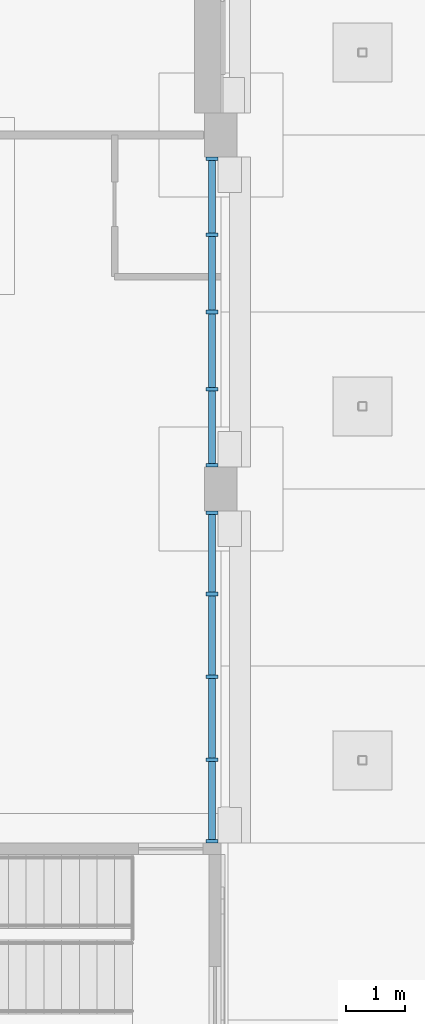
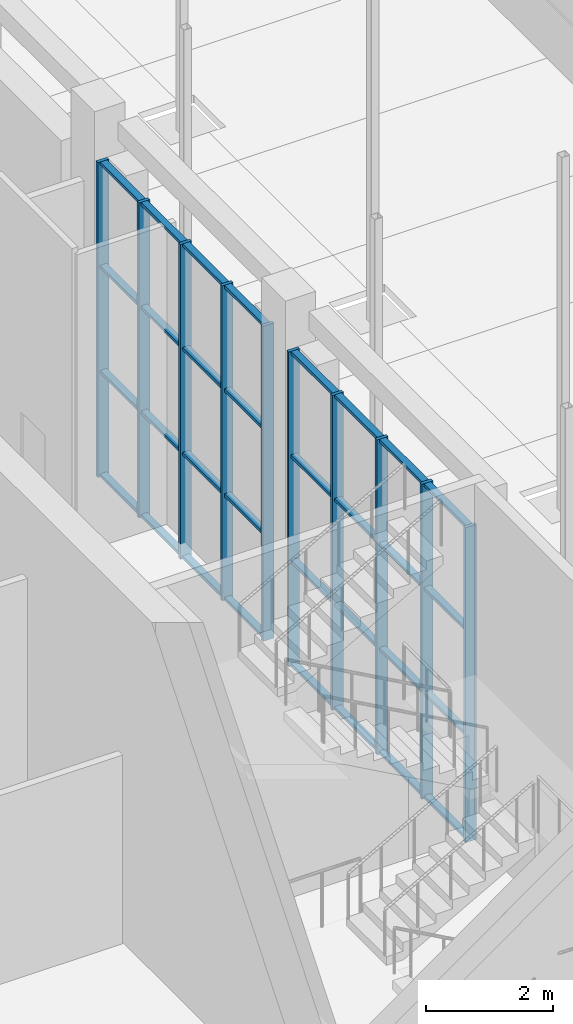
# One storey, part 25 of 95: 42 members, 2 elements without a shape of their own.
"""IFC4 building model written with IfcOpenShell, lengths in metres."""

from ifc_helpers import new_model, si_unit, direction, frame, origin, origin_2d, place, context, subcontext, project, spatial, rectangle, extrude, material, material_profile, profile_set, type_object, element, aggregate, save


model = new_model("IFC4")

# Units and contexts
model_context = context("Model", 3, precision=1e-05, world=origin(), true_north=direction((0.0, 1.0)))
body_context = subcontext(model_context, "Body", "Model", "MODEL_VIEW")
ifc_project = project(units=[si_unit("LENGTHUNIT", "METRE"), si_unit("AREAUNIT", "SQUARE_METRE"), si_unit("VOLUMEUNIT", "CUBIC_METRE"), si_unit("PLANEANGLEUNIT", "RADIAN"), si_unit("MASSUNIT", "GRAM", prefix="KILO")], contexts=[model_context])

# Site, building, storey
site_placement = place(None, origin())
site = spatial("IfcSite", under=ifc_project, at=site_placement, CompositionType="ELEMENT")
building_placement = place(site_placement, origin())
building = spatial("IfcBuilding", under=site, at=building_placement, Name="Saffron Lane Theatres", CompositionType="ELEMENT")
storey_placement = place(building_placement, origin())
storey = spatial("IfcBuildingStorey", under=building, at=storey_placement, Name="L00", CompositionType="ELEMENT", Elevation=0.0)

# Curtain wall, members
ifc_material_1 = material(Name="Aluminium", Category="aluminium")
curtain_wall_type_1 = type_object("IfcCurtainWallType", Name="EX-CURTAIN WALL 5250x6050x200", PredefinedType="NOTDEFINED", material=ifc_material_1)
curtain_wall_1_placement = place(storey_placement, origin())
curtain_wall_1 = element("IfcCurtainWall", 1, at=curtain_wall_1_placement, inside=storey, type_object=curtain_wall_type_1, Name="Curtain wall L00 05", PredefinedType="NOTDEFINED")
ifc_material_2 = material(Name="Aluminium", Category="aluminium")
ifc_material_profile_1 = material_profile(ifc_material_2, rectangle(XDim=0.06005859375, YDim=0.199951171875, at=origin_2d()))
ifc_profile_set_1 = profile_set([ifc_material_profile_1], Name="Aluminium")
member_type_1 = type_object("IfcMemberType", Name="EX-CW MULLION 60x200", PredefinedType="MULLION", material=ifc_profile_set_1)
member_1_placement = place(storey_placement, frame((53.85009765625, 83.594970703125, 0.0), z_axis=(0.0, 0.0, 1.0), x_axis=(0.0, -1.0, 0.0)))
member_1 = element("IfcMember", 2, at=member_1_placement, type_object=member_type_1, Name="CW-00-05 mullion 1", PredefinedType="MULLION", context=body_context, shape_type="SweptSolid", body=[
    extrude(rectangle(XDim=0.06005859375, YDim=0.199951171875, at=origin_2d()), origin(), (0.0, 0.0, 1.0), 6.050048828125),
])
member_2_placement = place(storey_placement, frame((53.85009765625, 82.3125, 0.0), z_axis=(0.0, 0.0, 1.0), x_axis=(0.0, -1.0, 0.0)))
member_2 = element("IfcMember", 3, at=member_2_placement, type_object=member_type_1, Name="CW-00-05 mullion 2", PredefinedType="MULLION", context=body_context, shape_type="SweptSolid", body=[
    extrude(rectangle(XDim=0.06005859375, YDim=0.199951171875, at=origin_2d()), origin(), (0.0, 0.0, 1.0), 6.050048828125),
])
member_3_placement = place(storey_placement, frame((53.85009765625, 81.0, 0.0), z_axis=(0.0, 0.0, 1.0), x_axis=(0.0, -1.0, 0.0)))
member_3 = element("IfcMember", 4, at=member_3_placement, type_object=member_type_1, Name="CW-00-05 mullion 3", PredefinedType="MULLION", context=body_context, shape_type="SweptSolid", body=[
    extrude(rectangle(XDim=0.06005859375, YDim=0.199951171875, at=origin_2d()), origin(), (0.0, 0.0, 1.0), 6.050048828125),
])
member_4_placement = place(storey_placement, frame((53.85009765625, 79.6875, 0.0), z_axis=(0.0, 0.0, 1.0), x_axis=(0.0, -1.0, 0.0)))
member_4 = element("IfcMember", 5, at=member_4_placement, type_object=member_type_1, Name="CW-00-05 mullion 4", PredefinedType="MULLION", context=body_context, shape_type="SweptSolid", body=[
    extrude(rectangle(XDim=0.06005859375, YDim=0.199951171875, at=origin_2d()), origin(), (0.0, 0.0, 1.0), 6.050048828125),
])
member_5_placement = place(storey_placement, frame((53.85009765625, 78.405029296875, 0.0), z_axis=(0.0, 0.0, 1.0), x_axis=(0.0, -1.0, 0.0)))
member_5 = element("IfcMember", 6, at=member_5_placement, type_object=member_type_1, Name="CW-00-05 mullion 5", PredefinedType="MULLION", context=body_context, shape_type="SweptSolid", body=[
    extrude(rectangle(XDim=0.06005859375, YDim=0.199951171875, at=origin_2d()), origin(), (0.0, 0.0, 1.0), 6.050048828125),
])

ifc_material_3 = material(Name="Aluminium", Category="aluminium")
curtain_wall_type_2 = type_object("IfcCurtainWallType", Name="EX-CURTAIN WALL 5620x6050x200", PredefinedType="NOTDEFINED", material=ifc_material_3)
curtain_wall_2_placement = place(storey_placement, origin())
curtain_wall_2 = element("IfcCurtainWall", 7, at=curtain_wall_2_placement, inside=storey, type_object=curtain_wall_type_2, Name="Curtain wall L00 06", PredefinedType="NOTDEFINED")
member_6_placement = place(storey_placement, frame((53.85009765625, 77.594970703125, 0.0), z_axis=(0.0, 0.0, 1.0), x_axis=(0.0, -1.0, 0.0)))
member_6 = element("IfcMember", 8, at=member_6_placement, type_object=member_type_1, Name="CW-00-06 mullion 1", PredefinedType="MULLION", context=body_context, shape_type="SweptSolid", body=[
    extrude(rectangle(XDim=0.06005859375, YDim=0.199951171875, at=origin_2d()), origin(), (0.0, 0.0, 1.0), 6.050048828125),
])
member_7_placement = place(storey_placement, frame((53.85009765625, 76.21875, 0.0), z_axis=(0.0, 0.0, 1.0), x_axis=(0.0, -1.0, 0.0)))
member_7 = element("IfcMember", 9, at=member_7_placement, type_object=member_type_1, Name="CW-00-06 mullion 2", PredefinedType="MULLION", context=body_context, shape_type="SweptSolid", body=[
    extrude(rectangle(XDim=0.06005859375, YDim=0.199951171875, at=origin_2d()), origin(), (0.0, 0.0, 1.0), 6.050048828125),
])
member_8_placement = place(storey_placement, frame((53.85009765625, 74.8125, 0.0), z_axis=(0.0, 0.0, 1.0), x_axis=(0.0, -1.0, 0.0)))
member_8 = element("IfcMember", 10, at=member_8_placement, type_object=member_type_1, Name="CW-00-06 mullion 3", PredefinedType="MULLION", context=body_context, shape_type="SweptSolid", body=[
    extrude(rectangle(XDim=0.06005859375, YDim=0.199951171875, at=origin_2d()), origin(), (0.0, 0.0, 1.0), 6.050048828125),
])
member_9_placement = place(storey_placement, frame((53.85009765625, 73.40625, 0.0), z_axis=(0.0, 0.0, 1.0), x_axis=(0.0, -1.0, 0.0)))
member_9 = element("IfcMember", 11, at=member_9_placement, type_object=member_type_1, Name="CW-00-06 mullion 4", PredefinedType="MULLION", context=body_context, shape_type="SweptSolid", body=[
    extrude(rectangle(XDim=0.06005859375, YDim=0.199951171875, at=origin_2d()), origin(), (0.0, 0.0, 1.0), 6.050048828125),
])
member_10_placement = place(storey_placement, frame((53.85009765625, 72.030029296875, 0.0), z_axis=(0.0, 0.0, 1.0), x_axis=(0.0, -1.0, 0.0)))
member_10 = element("IfcMember", 12, at=member_10_placement, type_object=member_type_1, Name="CW-00-06 mullion 5", PredefinedType="MULLION", context=body_context, shape_type="SweptSolid", body=[
    extrude(rectangle(XDim=0.06005859375, YDim=0.199951171875, at=origin_2d()), origin(), (0.0, 0.0, 1.0), 6.050048828125),
])

# Member
ifc_material_4 = material(Name="Aluminium", Category="aluminium")
ifc_material_profile_2 = material_profile(ifc_material_4, rectangle(XDim=0.1201171875, YDim=0.06005859375, at=origin_2d()))
ifc_profile_set_2 = profile_set([ifc_material_profile_2], Name="Aluminium")
member_type_2 = type_object("IfcMemberType", Name="EX-CW TRANSOM 120x60", PredefinedType="USERDEFINED", material=ifc_profile_set_2)
member_11_placement = place(storey_placement, frame((53.85009765625, 83.56494140625, 0.030029296875), z_axis=(0.0, -1.0, 0.0), x_axis=(1.0, 0.0, 0.0)))
member_11 = element("IfcMember", 13, at=member_11_placement, type_object=member_type_2, Name="CW-00-05 transom 1.1", ObjectType="TRANSOM", PredefinedType="USERDEFINED", context=body_context, shape_type="SweptSolid", body=[
    extrude(rectangle(XDim=0.1201171875, YDim=0.06005859375, at=origin_2d()), origin(), (0.0, 0.0, 1.0), 1.222412109375),
])

member_12_placement = place(storey_placement, frame((53.85009765625, 83.56494140625, 2.0166015625), z_axis=(0.0, -1.0, 0.0), x_axis=(1.0, 0.0, 0.0)))
member_12 = element("IfcMember", 14, at=member_12_placement, type_object=member_type_2, Name="CW-00-05 transom 1.2", ObjectType="TRANSOM", PredefinedType="USERDEFINED", context=body_context, shape_type="SweptSolid", body=[
    extrude(rectangle(XDim=0.1201171875, YDim=0.06005859375, at=origin_2d()), origin(), (0.0, 0.0, 1.0), 1.222412109375),
])

member_13_placement = place(storey_placement, frame((53.85009765625, 83.56494140625, 4.033447265625), z_axis=(0.0, -1.0, 0.0), x_axis=(1.0, 0.0, 0.0)))
member_13 = element("IfcMember", 15, at=member_13_placement, type_object=member_type_2, Name="CW-00-05 transom 1.3", ObjectType="TRANSOM", PredefinedType="USERDEFINED", context=body_context, shape_type="SweptSolid", body=[
    extrude(rectangle(XDim=0.1201171875, YDim=0.06005859375, at=origin_2d()), origin(), (0.0, 0.0, 1.0), 1.222412109375),
])

member_14_placement = place(storey_placement, frame((53.85009765625, 83.56494140625, 6.02001953125), z_axis=(0.0, -1.0, 0.0), x_axis=(1.0, 0.0, 0.0)))
member_14 = element("IfcMember", 16, at=member_14_placement, type_object=member_type_2, Name="CW-00-05 transom 1.4", ObjectType="TRANSOM", PredefinedType="USERDEFINED", context=body_context, shape_type="SweptSolid", body=[
    extrude(rectangle(XDim=0.1201171875, YDim=0.06005859375, at=origin_2d()), origin(), (0.0, 0.0, 1.0), 1.222412109375),
])

member_15_placement = place(storey_placement, frame((53.85009765625, 82.282470703125, 0.030029296875), z_axis=(0.0, -1.0, 0.0), x_axis=(1.0, 0.0, 0.0)))
member_15 = element("IfcMember", 17, at=member_15_placement, type_object=member_type_2, Name="CW-00-05 transom 2.1", ObjectType="TRANSOM", PredefinedType="USERDEFINED", context=body_context, shape_type="SweptSolid", body=[
    extrude(rectangle(XDim=0.1201171875, YDim=0.06005859375, at=origin_2d()), origin(), (0.0, 0.0, 1.0), 1.25244140625),
])

member_16_placement = place(storey_placement, frame((53.85009765625, 82.282470703125, 2.0166015625), z_axis=(0.0, -1.0, 0.0), x_axis=(1.0, 0.0, 0.0)))
member_16 = element("IfcMember", 18, at=member_16_placement, type_object=member_type_2, Name="CW-00-05 transom 2.2", ObjectType="TRANSOM", PredefinedType="USERDEFINED", context=body_context, shape_type="SweptSolid", body=[
    extrude(rectangle(XDim=0.1201171875, YDim=0.06005859375, at=origin_2d()), origin(), (0.0, 0.0, 1.0), 1.25244140625),
])

member_17_placement = place(storey_placement, frame((53.85009765625, 82.282470703125, 4.033447265625), z_axis=(0.0, -1.0, 0.0), x_axis=(1.0, 0.0, 0.0)))
member_17 = element("IfcMember", 19, at=member_17_placement, type_object=member_type_2, Name="CW-00-05 transom 2.3", ObjectType="TRANSOM", PredefinedType="USERDEFINED", context=body_context, shape_type="SweptSolid", body=[
    extrude(rectangle(XDim=0.1201171875, YDim=0.06005859375, at=origin_2d()), origin(), (0.0, 0.0, 1.0), 1.25244140625),
])

member_18_placement = place(storey_placement, frame((53.85009765625, 82.282470703125, 6.02001953125), z_axis=(0.0, -1.0, 0.0), x_axis=(1.0, 0.0, 0.0)))
member_18 = element("IfcMember", 20, at=member_18_placement, type_object=member_type_2, Name="CW-00-05 transom 2.4", ObjectType="TRANSOM", PredefinedType="USERDEFINED", context=body_context, shape_type="SweptSolid", body=[
    extrude(rectangle(XDim=0.1201171875, YDim=0.06005859375, at=origin_2d()), origin(), (0.0, 0.0, 1.0), 1.25244140625),
])

member_19_placement = place(storey_placement, frame((53.85009765625, 80.969970703125, 0.030029296875), z_axis=(0.0, -1.0, 0.0), x_axis=(1.0, 0.0, 0.0)))
member_19 = element("IfcMember", 21, at=member_19_placement, type_object=member_type_2, Name="CW-00-05 transom 3.1", ObjectType="TRANSOM", PredefinedType="USERDEFINED", context=body_context, shape_type="SweptSolid", body=[
    extrude(rectangle(XDim=0.1201171875, YDim=0.06005859375, at=origin_2d()), origin(), (0.0, 0.0, 1.0), 1.25244140625),
])

member_20_placement = place(storey_placement, frame((53.85009765625, 80.969970703125, 2.0166015625), z_axis=(0.0, -1.0, 0.0), x_axis=(1.0, 0.0, 0.0)))
member_20 = element("IfcMember", 22, at=member_20_placement, type_object=member_type_2, Name="CW-00-05 transom 3.2", ObjectType="TRANSOM", PredefinedType="USERDEFINED", context=body_context, shape_type="SweptSolid", body=[
    extrude(rectangle(XDim=0.1201171875, YDim=0.06005859375, at=origin_2d()), origin(), (0.0, 0.0, 1.0), 1.25244140625),
])

member_21_placement = place(storey_placement, frame((53.85009765625, 80.969970703125, 4.033447265625), z_axis=(0.0, -1.0, 0.0), x_axis=(1.0, 0.0, 0.0)))
member_21 = element("IfcMember", 23, at=member_21_placement, type_object=member_type_2, Name="CW-00-05 transom 3.3", ObjectType="TRANSOM", PredefinedType="USERDEFINED", context=body_context, shape_type="SweptSolid", body=[
    extrude(rectangle(XDim=0.1201171875, YDim=0.06005859375, at=origin_2d()), origin(), (0.0, 0.0, 1.0), 1.25244140625),
])

member_22_placement = place(storey_placement, frame((53.85009765625, 80.969970703125, 6.02001953125), z_axis=(0.0, -1.0, 0.0), x_axis=(1.0, 0.0, 0.0)))
member_22 = element("IfcMember", 24, at=member_22_placement, type_object=member_type_2, Name="CW-00-05 transom 3.4", ObjectType="TRANSOM", PredefinedType="USERDEFINED", context=body_context, shape_type="SweptSolid", body=[
    extrude(rectangle(XDim=0.1201171875, YDim=0.06005859375, at=origin_2d()), origin(), (0.0, 0.0, 1.0), 1.25244140625),
])

member_23_placement = place(storey_placement, frame((53.85009765625, 79.657470703125, 0.030029296875), z_axis=(0.0, -1.0, 0.0), x_axis=(1.0, 0.0, 0.0)))
member_23 = element("IfcMember", 25, at=member_23_placement, type_object=member_type_2, Name="CW-00-05 transom 4.1", ObjectType="TRANSOM", PredefinedType="USERDEFINED", context=body_context, shape_type="SweptSolid", body=[
    extrude(rectangle(XDim=0.1201171875, YDim=0.06005859375, at=origin_2d()), origin(), (0.0, 0.0, 1.0), 1.222412109375),
])

member_24_placement = place(storey_placement, frame((53.85009765625, 79.657470703125, 2.0166015625), z_axis=(0.0, -1.0, 0.0), x_axis=(1.0, 0.0, 0.0)))
member_24 = element("IfcMember", 26, at=member_24_placement, type_object=member_type_2, Name="CW-00-05 transom 4.2", ObjectType="TRANSOM", PredefinedType="USERDEFINED", context=body_context, shape_type="SweptSolid", body=[
    extrude(rectangle(XDim=0.1201171875, YDim=0.06005859375, at=origin_2d()), origin(), (0.0, 0.0, 1.0), 1.222412109375),
])

member_25_placement = place(storey_placement, frame((53.85009765625, 79.657470703125, 4.033447265625), z_axis=(0.0, -1.0, 0.0), x_axis=(1.0, 0.0, 0.0)))
member_25 = element("IfcMember", 27, at=member_25_placement, type_object=member_type_2, Name="CW-00-05 transom 4.3", ObjectType="TRANSOM", PredefinedType="USERDEFINED", context=body_context, shape_type="SweptSolid", body=[
    extrude(rectangle(XDim=0.1201171875, YDim=0.06005859375, at=origin_2d()), origin(), (0.0, 0.0, 1.0), 1.222412109375),
])

member_26_placement = place(storey_placement, frame((53.85009765625, 79.657470703125, 6.02001953125), z_axis=(0.0, -1.0, 0.0), x_axis=(1.0, 0.0, 0.0)))
member_26 = element("IfcMember", 28, at=member_26_placement, type_object=member_type_2, Name="CW-00-05 transom 4.4", ObjectType="TRANSOM", PredefinedType="USERDEFINED", context=body_context, shape_type="SweptSolid", body=[
    extrude(rectangle(XDim=0.1201171875, YDim=0.06005859375, at=origin_2d()), origin(), (0.0, 0.0, 1.0), 1.222412109375),
])

aggregate(curtain_wall_1, [member_1, member_2, member_3, member_4, member_5, member_11, member_12, member_13, member_14, member_15, member_16, member_17, member_18, member_19, member_20, member_21, member_22, member_23, member_24, member_25, member_26])

member_27_placement = place(storey_placement, frame((53.85009765625, 77.56494140625, 0.030029296875), z_axis=(0.0, -1.0, 0.0), x_axis=(1.0, 0.0, 0.0)))
member_27 = element("IfcMember", 29, at=member_27_placement, type_object=member_type_2, Name="CW-00-06 transom 1.1", ObjectType="TRANSOM", PredefinedType="USERDEFINED", context=body_context, shape_type="SweptSolid", body=[
    extrude(rectangle(XDim=0.1201171875, YDim=0.06005859375, at=origin_2d()), origin(), (0.0, 0.0, 1.0), 1.316162109375),
])

member_28_placement = place(storey_placement, frame((53.85009765625, 77.56494140625, 2.0166015625), z_axis=(0.0, -1.0, 0.0), x_axis=(1.0, 0.0, 0.0)))
member_28 = element("IfcMember", 30, at=member_28_placement, type_object=member_type_2, Name="CW-00-06 transom 1.2", ObjectType="TRANSOM", PredefinedType="USERDEFINED", context=body_context, shape_type="SweptSolid", body=[
    extrude(rectangle(XDim=0.1201171875, YDim=0.06005859375, at=origin_2d()), origin(), (0.0, 0.0, 1.0), 1.316162109375),
])

member_29_placement = place(storey_placement, frame((53.85009765625, 77.56494140625, 4.033447265625), z_axis=(0.0, -1.0, 0.0), x_axis=(1.0, 0.0, 0.0)))
member_29 = element("IfcMember", 31, at=member_29_placement, type_object=member_type_2, Name="CW-00-06 transom 1.3", ObjectType="TRANSOM", PredefinedType="USERDEFINED", context=body_context, shape_type="SweptSolid", body=[
    extrude(rectangle(XDim=0.1201171875, YDim=0.06005859375, at=origin_2d()), origin(), (0.0, 0.0, 1.0), 1.316162109375),
])

member_30_placement = place(storey_placement, frame((53.85009765625, 77.56494140625, 6.02001953125), z_axis=(0.0, -1.0, 0.0), x_axis=(1.0, 0.0, 0.0)))
member_30 = element("IfcMember", 32, at=member_30_placement, type_object=member_type_2, Name="CW-00-06 transom 1.4", ObjectType="TRANSOM", PredefinedType="USERDEFINED", context=body_context, shape_type="SweptSolid", body=[
    extrude(rectangle(XDim=0.1201171875, YDim=0.06005859375, at=origin_2d()), origin(), (0.0, 0.0, 1.0), 1.316162109375),
])

member_31_placement = place(storey_placement, frame((53.85009765625, 76.188720703125, 0.030029296875), z_axis=(0.0, -1.0, 0.0), x_axis=(1.0, 0.0, 0.0)))
member_31 = element("IfcMember", 33, at=member_31_placement, type_object=member_type_2, Name="CW-00-06 transom 2.1", ObjectType="TRANSOM", PredefinedType="USERDEFINED", context=body_context, shape_type="SweptSolid", body=[
    extrude(rectangle(XDim=0.1201171875, YDim=0.06005859375, at=origin_2d()), origin(), (0.0, 0.0, 1.0), 1.34619140625),
])

member_32_placement = place(storey_placement, frame((53.85009765625, 76.188720703125, 2.0166015625), z_axis=(0.0, -1.0, 0.0), x_axis=(1.0, 0.0, 0.0)))
member_32 = element("IfcMember", 34, at=member_32_placement, type_object=member_type_2, Name="CW-00-06 transom 2.2", ObjectType="TRANSOM", PredefinedType="USERDEFINED", context=body_context, shape_type="SweptSolid", body=[
    extrude(rectangle(XDim=0.1201171875, YDim=0.06005859375, at=origin_2d()), origin(), (0.0, 0.0, 1.0), 1.34619140625),
])

member_33_placement = place(storey_placement, frame((53.85009765625, 76.188720703125, 4.033447265625), z_axis=(0.0, -1.0, 0.0), x_axis=(1.0, 0.0, 0.0)))
member_33 = element("IfcMember", 35, at=member_33_placement, type_object=member_type_2, Name="CW-00-06 transom 2.3", ObjectType="TRANSOM", PredefinedType="USERDEFINED", context=body_context, shape_type="SweptSolid", body=[
    extrude(rectangle(XDim=0.1201171875, YDim=0.06005859375, at=origin_2d()), origin(), (0.0, 0.0, 1.0), 1.34619140625),
])

member_34_placement = place(storey_placement, frame((53.85009765625, 76.188720703125, 6.02001953125), z_axis=(0.0, -1.0, 0.0), x_axis=(1.0, 0.0, 0.0)))
member_34 = element("IfcMember", 36, at=member_34_placement, type_object=member_type_2, Name="CW-00-06 transom 2.4", ObjectType="TRANSOM", PredefinedType="USERDEFINED", context=body_context, shape_type="SweptSolid", body=[
    extrude(rectangle(XDim=0.1201171875, YDim=0.06005859375, at=origin_2d()), origin(), (0.0, 0.0, 1.0), 1.34619140625),
])

member_35_placement = place(storey_placement, frame((53.85009765625, 74.782470703125, 0.030029296875), z_axis=(0.0, -1.0, 0.0), x_axis=(1.0, 0.0, 0.0)))
member_35 = element("IfcMember", 37, at=member_35_placement, type_object=member_type_2, Name="CW-00-06 transom 3.1", ObjectType="TRANSOM", PredefinedType="USERDEFINED", context=body_context, shape_type="SweptSolid", body=[
    extrude(rectangle(XDim=0.1201171875, YDim=0.06005859375, at=origin_2d()), origin(), (0.0, 0.0, 1.0), 1.34619140625),
])

member_36_placement = place(storey_placement, frame((53.85009765625, 74.782470703125, 2.0166015625), z_axis=(0.0, -1.0, 0.0), x_axis=(1.0, 0.0, 0.0)))
member_36 = element("IfcMember", 38, at=member_36_placement, type_object=member_type_2, Name="CW-00-06 transom 3.2", ObjectType="TRANSOM", PredefinedType="USERDEFINED", context=body_context, shape_type="SweptSolid", body=[
    extrude(rectangle(XDim=0.1201171875, YDim=0.06005859375, at=origin_2d()), origin(), (0.0, 0.0, 1.0), 1.34619140625),
])

member_37_placement = place(storey_placement, frame((53.85009765625, 74.782470703125, 4.033447265625), z_axis=(0.0, -1.0, 0.0), x_axis=(1.0, 0.0, 0.0)))
member_37 = element("IfcMember", 39, at=member_37_placement, type_object=member_type_2, Name="CW-00-06 transom 3.3", ObjectType="TRANSOM", PredefinedType="USERDEFINED", context=body_context, shape_type="SweptSolid", body=[
    extrude(rectangle(XDim=0.1201171875, YDim=0.06005859375, at=origin_2d()), origin(), (0.0, 0.0, 1.0), 1.34619140625),
])

member_38_placement = place(storey_placement, frame((53.85009765625, 74.782470703125, 6.02001953125), z_axis=(0.0, -1.0, 0.0), x_axis=(1.0, 0.0, 0.0)))
member_38 = element("IfcMember", 40, at=member_38_placement, type_object=member_type_2, Name="CW-00-06 transom 3.4", ObjectType="TRANSOM", PredefinedType="USERDEFINED", context=body_context, shape_type="SweptSolid", body=[
    extrude(rectangle(XDim=0.1201171875, YDim=0.06005859375, at=origin_2d()), origin(), (0.0, 0.0, 1.0), 1.34619140625),
])

member_39_placement = place(storey_placement, frame((53.85009765625, 73.376220703125, 0.030029296875), z_axis=(0.0, -1.0, 0.0), x_axis=(1.0, 0.0, 0.0)))
member_39 = element("IfcMember", 41, at=member_39_placement, type_object=member_type_2, Name="CW-00-06 transom 4.1", ObjectType="TRANSOM", PredefinedType="USERDEFINED", context=body_context, shape_type="SweptSolid", body=[
    extrude(rectangle(XDim=0.1201171875, YDim=0.06005859375, at=origin_2d()), origin(), (0.0, 0.0, 1.0), 1.316162109375),
])

member_40_placement = place(storey_placement, frame((53.85009765625, 73.376220703125, 2.0166015625), z_axis=(0.0, -1.0, 0.0), x_axis=(1.0, 0.0, 0.0)))
member_40 = element("IfcMember", 42, at=member_40_placement, type_object=member_type_2, Name="CW-00-06 transom 4.2", ObjectType="TRANSOM", PredefinedType="USERDEFINED", context=body_context, shape_type="SweptSolid", body=[
    extrude(rectangle(XDim=0.1201171875, YDim=0.06005859375, at=origin_2d()), origin(), (0.0, 0.0, 1.0), 1.316162109375),
])

member_41_placement = place(storey_placement, frame((53.85009765625, 73.376220703125, 4.033447265625), z_axis=(0.0, -1.0, 0.0), x_axis=(1.0, 0.0, 0.0)))
member_41 = element("IfcMember", 43, at=member_41_placement, type_object=member_type_2, Name="CW-00-06 transom 4.3", ObjectType="TRANSOM", PredefinedType="USERDEFINED", context=body_context, shape_type="SweptSolid", body=[
    extrude(rectangle(XDim=0.1201171875, YDim=0.06005859375, at=origin_2d()), origin(), (0.0, 0.0, 1.0), 1.316162109375),
])

member_42_placement = place(storey_placement, frame((53.85009765625, 73.376220703125, 6.02001953125), z_axis=(0.0, -1.0, 0.0), x_axis=(1.0, 0.0, 0.0)))
member_42 = element("IfcMember", 44, at=member_42_placement, type_object=member_type_2, Name="CW-00-06 transom 4.4", ObjectType="TRANSOM", PredefinedType="USERDEFINED", context=body_context, shape_type="SweptSolid", body=[
    extrude(rectangle(XDim=0.1201171875, YDim=0.06005859375, at=origin_2d()), origin(), (0.0, 0.0, 1.0), 1.316162109375),
])

aggregate(curtain_wall_2, [member_6, member_7, member_8, member_9, member_10, member_27, member_28, member_29, member_30, member_31, member_32, member_33, member_34, member_35, member_36, member_37, member_38, member_39, member_40, member_41, member_42])

save(model, "model.ifc")
